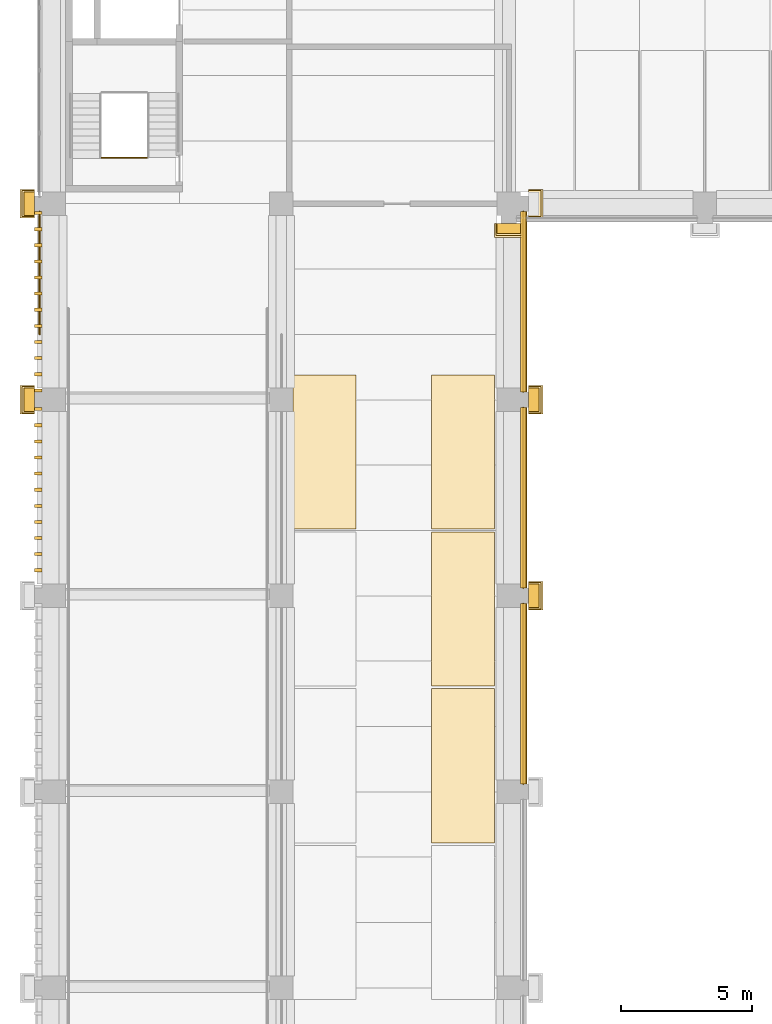
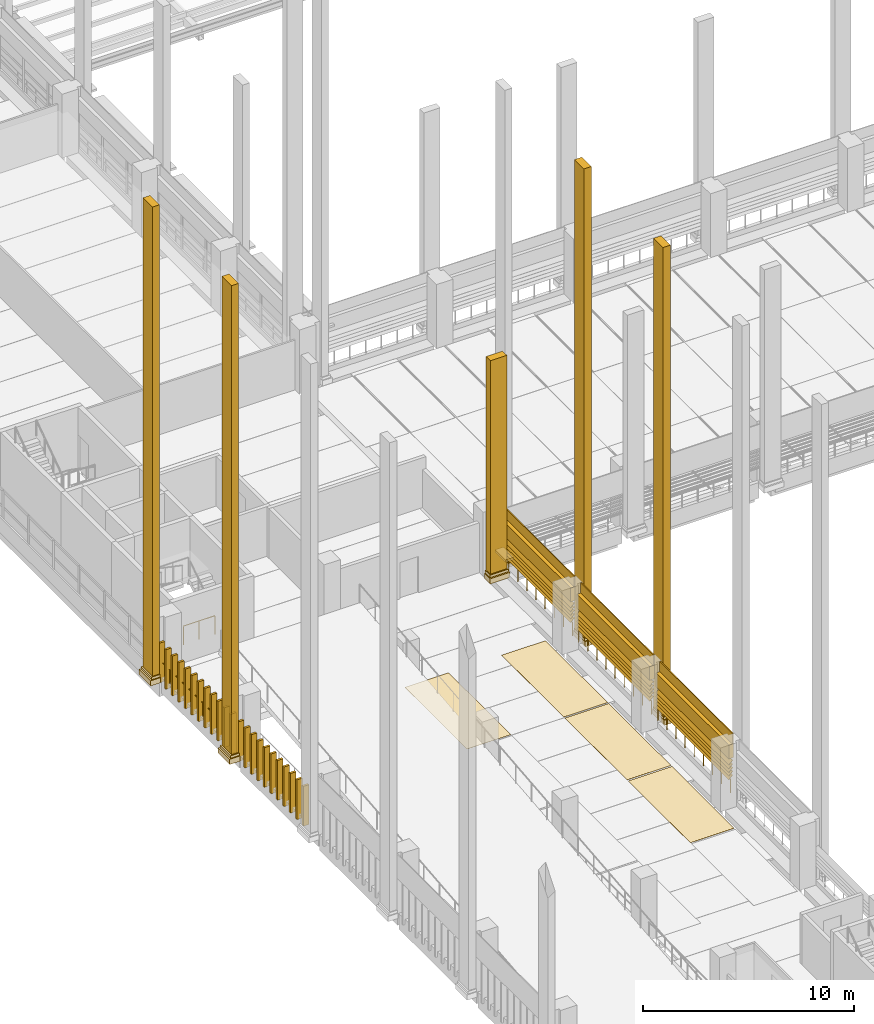
# One storey, part 46 of 67: 47 coverings, 15 shading devices, 5 railings.
"""IFC4 building model written with IfcOpenShell, lengths in metres."""

import ifcopenshell
import ifcopenshell.guid

model = None  # the IFC model being written
_history = None  # IfcOwnerHistory: only IFC2X3 demands one
_inside = {}  # id of a spatial element -> (the spatial element, [elements in it])
_under = {}  # id of a project, library or spatial element -> (it, [spatial elements below it])
_declared = {}  # id of a project -> (the project, [libraries it declares])
_typed = {}  # id of a type object -> (the type object, [elements of that type])
_made_of = {}  # id of a material, layer set ... -> (it, [elements and type objects made of it])


def new_model(schema):
    """Start an empty IFC model of exactly this schema.

    Asked for "IFC4X3", IfcOpenShell would pick the latest addendum, in which some entities
    have other attributes; the version numbers below select the first issue.
    IFC2X3 requires an IfcOwnerHistory on every rooted entity: one is made here for all.
    """
    global model, _history
    if schema == "IFC4X3":
        model = ifcopenshell.file(schema_version=(4, 3, 0, 0))
    else:
        model = ifcopenshell.file(schema=schema)
    _inside.clear()
    _under.clear()
    _declared.clear()
    _typed.clear()
    _made_of.clear()
    _history = None
    if model.schema == "IFC2X3":
        org = make("IfcOrganization", Name="unknown")
        user = make(
            "IfcPersonAndOrganization",
            ThePerson=make("IfcPerson", FamilyName="unknown"),
            TheOrganization=org,
        )
        app = make(
            "IfcApplication",
            ApplicationDeveloper=org,
            Version="unknown",
            ApplicationFullName="unknown",
            ApplicationIdentifier="unknown",
        )
        _history = make(
            "IfcOwnerHistory",
            OwningUser=user,
            OwningApplication=app,
            ChangeAction="ADDED",
            CreationDate=0,
        )
    return model


def make(cls, **values):
    """One entity of the class cls with the attributes given. An attribute that is None is left unset."""
    return model.create_entity(
        cls, **{name: value for name, value in values.items() if value is not None}
    )


def rooted(cls, **values):
    """An entity with a GlobalId (a new one), such as an element, a storey or a relation."""
    return make(cls, GlobalId=ifcopenshell.guid.new(), OwnerHistory=_history, **values)


def si_unit(unit_type, name, prefix=None):
    """IfcSIUnit, for example si_unit("LENGTHUNIT", "METRE", prefix="MILLI")."""
    return make("IfcSIUnit", UnitType=unit_type, Prefix=prefix, Name=name)


def assignment(units):
    """IfcUnitAssignment: the units of a project."""
    return None if units is None else make("IfcUnitAssignment", Units=units)


def point(xyz):
    """IfcCartesianPoint."""
    return None if xyz is None else make("IfcCartesianPoint", Coordinates=xyz)


def direction(xyz):
    """IfcDirection."""
    return None if xyz is None else make("IfcDirection", DirectionRatios=xyz)


def frame(location, z_axis=None, x_axis=None):
    """IfcAxis2Placement3D, a coordinate frame: its origin and axes. An axis left out is left unset."""
    return make(
        "IfcAxis2Placement3D",
        Location=point(location),
        Axis=direction(z_axis),
        RefDirection=direction(x_axis),
    )


def frame_2d(location, x_axis=None):
    """IfcAxis2Placement2D, a coordinate frame in the plane: its origin and x axis."""
    return make(
        "IfcAxis2Placement2D", Location=point(location), RefDirection=direction(x_axis)
    )


def origin():
    """The frame at (0, 0, 0) with its axes left unset."""
    return frame((0.0, 0.0, 0.0))


def origin_2d():
    """The frame at (0, 0) in the plane with its x axis left unset."""
    return frame_2d((0.0, 0.0))


def place(relative_to, where):
    """IfcLocalPlacement: puts the frame where relative to a parent placement (None: the world)."""
    return make(
        "IfcLocalPlacement", PlacementRelTo=relative_to, RelativePlacement=where
    )


def context(
    kind, dimensions, precision=None, world=None, true_north=None, identifier=None
):
    """IfcGeometricRepresentationContext, for example the 3D "Model" context."""
    return make(
        "IfcGeometricRepresentationContext",
        ContextIdentifier=identifier,
        ContextType=kind,
        CoordinateSpaceDimension=dimensions,
        Precision=precision,
        WorldCoordinateSystem=world,
        TrueNorth=true_north,
    )


def subcontext(parent, identifier, kind, view, scale=None):
    """IfcGeometricRepresentationSubContext, for example "Body" below "Model"."""
    return make(
        "IfcGeometricRepresentationSubContext",
        ContextIdentifier=identifier,
        ContextType=kind,
        ParentContext=parent,
        TargetScale=scale,
        TargetView=view,
    )


def project(units=None, contexts=None):
    """IfcProject with its units and contexts."""
    return rooted(
        "IfcProject",
        Name="project",
        RepresentationContexts=contexts,
        UnitsInContext=assignment(units),
    )


def spatial(cls, under=None, at=None, **own):
    """A site, building, storey or space (cls), placed at a placement, below another one or the project."""
    s = rooted(cls, ObjectPlacement=at, **own)
    if under is not None:
        _under.setdefault(under.id(), (under, []))[1].append(s)
    return s


def polyline(points):
    """IfcPolyline through the points."""
    return make("IfcPolyline", Points=[point(p) for p in points])


def profile(cls, at=None, kind="AREA", **sizes):
    """A parametric profile (cls). Its sizes go by their IFC names, for example OverallWidth=200.0."""
    return make(cls, ProfileType=kind, Position=at, **sizes)


def circle(**sizes):
    """IfcCircleProfileDef."""
    return profile("IfcCircleProfileDef", **sizes)


def outline(outer, holes=None, kind="AREA"):
    """IfcArbitraryClosedProfileDef: a profile drawn as a closed curve; with holes, ...WithVoids."""
    if holes is None:
        return make("IfcArbitraryClosedProfileDef", ProfileType=kind, OuterCurve=outer)
    return make(
        "IfcArbitraryProfileDefWithVoids",
        ProfileType=kind,
        OuterCurve=outer,
        InnerCurves=holes,
    )


def extrude(swept, where, along, depth):
    """IfcExtrudedAreaSolid: the profile swept, set in the frame where, extruded along a direction by depth."""
    return make(
        "IfcExtrudedAreaSolid",
        SweptArea=swept,
        Position=where,
        ExtrudedDirection=direction(along),
        Depth=depth,
    )


def shape(context_of_items, identifier, shape_type, items):
    """IfcShapeRepresentation: the items that make up one representation, for example the "Body"."""
    return make(
        "IfcShapeRepresentation",
        ContextOfItems=context_of_items,
        RepresentationIdentifier=identifier,
        RepresentationType=shape_type,
        Items=items,
    )


def material(Name=None, Category=None):
    """IfcMaterial."""
    return make("IfcMaterial", Name=Name, Category=Category)


def layer(
    of_material, thickness, ventilated=None, Name=None, Category=None, Priority=None
):
    """IfcMaterialLayer: one layer of a wall or slab, of a material (None: an air gap)."""
    return make(
        "IfcMaterialLayer",
        Material=of_material,
        LayerThickness=thickness,
        IsVentilated=ventilated,
        Name=Name,
        Category=Category,
        Priority=Priority,
    )


def layer_set(layers, Name=None):
    """IfcMaterialLayerSet."""
    return make("IfcMaterialLayerSet", MaterialLayers=layers, LayerSetName=Name)


def made_of(thing, what):
    """Note that an element or type object is made of a material, layer set ...; save() writes the relation."""
    if what is not None:
        _made_of.setdefault(what.id(), (what, []))[1].append(thing)
    return thing


def type_object(cls, material=None, **own):
    """A type object (cls), such as IfcWallType, which elements share."""
    return made_of(rooted(cls, **own), material)


def element(
    cls,
    number,
    at=None,
    inside=None,
    cuts=None,
    type_object=None,
    material=None,
    context=None,
    identifier="Body",
    shape_type=None,
    held_by="IfcProductDefinitionShape",
    body=None,
    shapes=None,
    **own,
):
    """One element of the class cls, such as IfcWall. Its Tag is "e" and its number.

    at: its placement. inside: the storey or other place that contains it. cuts: it is an
    opening in that element (IfcRelVoidsElement). A single representation is given by context,
    identifier, shape_type and body (its items); several are given by shapes. held_by: the class
    of the entity that holds the representations. save() writes the other relations.
    """
    e = rooted(cls, Tag="e%d" % number, ObjectPlacement=at, **own)
    if body is not None:
        shapes = [shape(context, identifier, shape_type, body)]
    if shapes is not None:
        e.Representation = make(held_by, Representations=shapes)
    if inside is not None:
        _inside.setdefault(inside.id(), (inside, []))[1].append(e)
    if cuts is not None:
        rooted(
            "IfcRelVoidsElement", RelatingBuildingElement=cuts, RelatedOpeningElement=e
        )
    if type_object is not None:
        _typed.setdefault(type_object.id(), (type_object, []))[1].append(e)
    return made_of(e, material)


def aggregate(whole, parts):
    """IfcRelAggregates: a whole, such as a stair, and the parts it consists of."""
    return rooted("IfcRelAggregates", RelatingObject=whole, RelatedObjects=parts)


def save(model, path):
    """Write the relations noted so far, then the file.

    IfcRelAggregates (storeys below a building ...), IfcRelContainedInSpatialStructure (elements
    in a storey), IfcRelDefinesByType, IfcRelAssociatesMaterial and IfcRelDeclares: one each for
    every whole, place, type object, material and project.
    """
    for whole, parts in _under.values():
        aggregate(whole, parts)
    for where, things in _inside.values():
        rooted(
            "IfcRelContainedInSpatialStructure",
            RelatedElements=things,
            RelatingStructure=where,
        )
    for kind, things in _typed.values():
        rooted("IfcRelDefinesByType", RelatedObjects=things, RelatingType=kind)
    for what, things in _made_of.values():
        rooted("IfcRelAssociatesMaterial", RelatedObjects=things, RelatingMaterial=what)
    for by, libraries in _declared.values():
        rooted("IfcRelDeclares", RelatingContext=by, RelatedDefinitions=libraries)
    model.write(path)


model = new_model("IFC4")

# Units and contexts
model_context = context("Model", 3, precision=1e-05, world=origin(), true_north=direction((0.0, 1.0)))
body_context = subcontext(model_context, "Body", "Model", "MODEL_VIEW")
ifc_project = project(units=[si_unit("LENGTHUNIT", "METRE"), si_unit("AREAUNIT", "SQUARE_METRE"), si_unit("VOLUMEUNIT", "CUBIC_METRE"), si_unit("PLANEANGLEUNIT", "RADIAN"), si_unit("MASSUNIT", "GRAM", prefix="KILO")], contexts=[model_context])

# Site, building, storey
site_placement = place(None, origin())
site = spatial("IfcSite", under=ifc_project, at=site_placement, CompositionType="ELEMENT")
building_placement = place(site_placement, origin())
building = spatial("IfcBuilding", under=site, at=building_placement, Name="Cour d'Honneur Mobility Palace", CompositionType="ELEMENT")
storey_placement = place(building_placement, frame((0.0, 0.0, 4.5)))
storey = spatial("IfcBuildingStorey", under=building, at=storey_placement, Name="L01", CompositionType="ELEMENT", Elevation=4.5)

# Railings
ifc_material_1 = material(Name="Painted steel", Category="steel")
railing_type_1 = type_object("IfcRailingType", Name="Balustrade", PredefinedType="BALUSTRADE", material=ifc_material_1)
for number, where, name in (
    (1, (17.949951171875, 22.800048828125, 0.300048828125), "Balustrade BAL-6"),
    (2, (17.949951171875, 30.300048828125, 0.300048828125), "Balustrade BAL-7"),
    (3, (17.949951171875, 37.800048828125, 0.300048828125), "Balustrade BAL-8"),
):
    element("IfcRailing", number, at=place(storey_placement, frame(where)), inside=storey, type_object=railing_type_1, Name=name, PredefinedType="BALUSTRADE", context=body_context, shape_type="SweptSolid", body=[
        extrude(circle(Radius=0.02392578125, at=origin_2d()), frame((0.0, 0.0, 0.77587890625), z_axis=(0.0, 1.0, 0.0), x_axis=(-1.0, 0.0, 0.0)), (0.0, 0.0, 1.0), 6.89990234375),
        extrude(circle(Radius=0.02099609375, at=origin_2d()), origin(), (0.0, 0.0, 1.0), 0.751953125),
        extrude(circle(Radius=0.02099609375, at=origin_2d()), frame((0.0, 0.862548828125, 0.0)), (0.0, 0.0, 1.0), 0.751953125),
        extrude(circle(Radius=0.02099609375, at=origin_2d()), frame((0.0, 1.72509765625, 0.0)), (0.0, 0.0, 1.0), 0.751953125),
        extrude(circle(Radius=0.02099609375, at=origin_2d()), frame((0.0, 2.58740234375, 0.0)), (0.0, 0.0, 1.0), 0.751953125),
        extrude(circle(Radius=0.02099609375, at=origin_2d()), frame((0.0, 3.449951171875, 0.0)), (0.0, 0.0, 1.0), 0.751953125),
        extrude(circle(Radius=0.02099609375, at=origin_2d()), frame((0.0, 4.3125, 0.0)), (0.0, 0.0, 1.0), 0.751953125),
        extrude(circle(Radius=0.02099609375, at=origin_2d()), frame((0.0, 5.1748046875, 0.0)), (0.0, 0.0, 1.0), 0.751953125),
        extrude(circle(Radius=0.02099609375, at=origin_2d()), frame((0.0, 6.037353515625, 0.0)), (0.0, 0.0, 1.0), 0.751953125),
        extrude(circle(Radius=0.02099609375, at=origin_2d()), frame((0.0, 6.89990234375, 0.0)), (0.0, 0.0, 1.0), 0.751953125),
    ])
railing_1_placement = place(storey_placement, frame((-0.550048828125, 44.699951171875, 0.300048828125)))
element("IfcRailing", 4, at=railing_1_placement, inside=storey, type_object=railing_type_1, Name="Balustrade BAL-64", PredefinedType="BALUSTRADE", context=body_context, shape_type="SweptSolid", body=[
    extrude(circle(Radius=0.02392578125, at=origin_2d()), frame((0.0, 0.0, 0.77587890625), z_axis=(0.0, -1.0, 0.0), x_axis=(1.0, 0.0, 0.0)), (0.0, 0.0, 1.0), 4.699951171875),
    extrude(circle(Radius=0.02099609375, at=origin_2d()), origin(), (0.0, 0.0, 1.0), 0.751953125),
    extrude(circle(Radius=0.02099609375, at=origin_2d()), frame((0.0, -0.783203125, 0.0)), (0.0, 0.0, 1.0), 0.751953125),
    extrude(circle(Radius=0.02099609375, at=origin_2d()), frame((0.0, -1.566650390625, 0.0)), (0.0, 0.0, 1.0), 0.751953125),
    extrude(circle(Radius=0.02099609375, at=origin_2d()), frame((0.0, -2.35009765625, 0.0)), (0.0, 0.0, 1.0), 0.751953125),
    extrude(circle(Radius=0.02099609375, at=origin_2d()), frame((0.0, -3.13330078125, 0.0)), (0.0, 0.0, 1.0), 0.751953125),
    extrude(circle(Radius=0.02099609375, at=origin_2d()), frame((0.0, -3.91650390625, 0.0)), (0.0, 0.0, 1.0), 0.751953125),
    extrude(circle(Radius=0.02099609375, at=origin_2d()), frame((0.0, -4.699951171875, 0.0)), (0.0, 0.0, 1.0), 0.751953125),
])
ifc_material_2 = material(Name="Painted steel", Category="steel")
railing_type_2 = type_object("IfcRailingType", Name="Guardrail 1100", PredefinedType="GUARDRAIL", material=ifc_material_2)
railing_2_placement = place(storey_placement, frame((1.824951171875, 46.7548828125, 0.0)))
element("IfcRailing", 5, at=railing_2_placement, inside=storey, type_object=railing_type_2, Name="Guard ST-CW1", PredefinedType="GUARDRAIL", context=body_context, shape_type="SweptSolid", body=[
    extrude(circle(Radius=0.02490234375, at=origin_2d()), frame((0.0, 0.0, 1.0751953125), z_axis=(1.0, 0.0, 0.0), x_axis=(0.0, 1.0, 0.0)), (0.0, 0.0, 1.0), 1.72509765625),
    extrude(circle(Radius=0.02099609375, at=origin_2d()), origin(), (0.0, 0.0, 1.0), 1.050048828125),
    extrude(circle(Radius=0.02099609375, at=origin_2d()), frame((0.862548828125, 0.0, 0.0)), (0.0, 0.0, 1.0), 1.050048828125),
    extrude(circle(Radius=0.02099609375, at=origin_2d()), frame((1.72509765625, 0.0, 0.0)), (0.0, 0.0, 1.0), 1.050048828125),
])

# Coverings
ifc_material_3 = material(Name="Parking marking paint")
ifc_layer_1 = layer(ifc_material_3, 0.0048828125)
ifc_layer_set_1 = layer_set([ifc_layer_1], Name="Parking marking paint")
covering_type_1 = type_object("IfcCoveringType", Name="Parking bay marking", PredefinedType="FLOORING", material=ifc_layer_set_1)
covering_1_placement = place(storey_placement, origin())
element("IfcCovering", 6, at=covering_1_placement, inside=storey, type_object=covering_type_1, Name="Parking bay marking L01 86", PredefinedType="FLOORING", context=body_context, shape_type="SweptSolid", body=[
    extrude(outline(polyline([(11.550048828125, 32.550048828125), (9.14990234375, 32.550048828125), (9.14990234375, 38.449951171875), (11.550048828125, 38.449951171875), (11.550048828125, 32.550048828125)])), origin(), (0.0, 0.0, 1.0), 0.0048828125),
])
covering_2_placement = place(storey_placement, origin())
element("IfcCovering", 7, at=covering_2_placement, inside=storey, type_object=covering_type_1, Name="Parking bay marking L01 88", PredefinedType="FLOORING", context=body_context, shape_type="SweptSolid", body=[
    extrude(outline(polyline([(16.85009765625, 20.550048828125), (14.449951171875, 20.550048828125), (14.449951171875, 26.449951171875), (16.85009765625, 26.449951171875), (16.85009765625, 20.550048828125)])), origin(), (0.0, 0.0, 1.0), 0.0048828125),
])
covering_3_placement = place(storey_placement, origin())
element("IfcCovering", 8, at=covering_3_placement, inside=storey, type_object=covering_type_1, Name="Parking bay marking L01 89", PredefinedType="FLOORING", context=body_context, shape_type="SweptSolid", body=[
    extrude(outline(polyline([(16.85009765625, 26.550048828125), (14.449951171875, 26.550048828125), (14.449951171875, 32.449951171875), (16.85009765625, 32.449951171875), (16.85009765625, 26.550048828125)])), origin(), (0.0, 0.0, 1.0), 0.0048828125),
])
covering_4_placement = place(storey_placement, origin())
element("IfcCovering", 9, at=covering_4_placement, inside=storey, type_object=covering_type_1, Name="Parking bay marking L01 90", PredefinedType="FLOORING", context=body_context, shape_type="SweptSolid", body=[
    extrude(outline(polyline([(16.85009765625, 32.550048828125), (14.449951171875, 32.550048828125), (14.449951171875, 38.449951171875), (16.85009765625, 38.449951171875), (16.85009765625, 32.550048828125)])), origin(), (0.0, 0.0, 1.0), 0.0048828125),
])
ifc_material_4 = material(Name="Cast limestone", Category="masonry")
ifc_layer_2 = layer(ifc_material_4, 0.14990234375)
ifc_layer_set_2 = layer_set([ifc_layer_2], Name="Cast limestone")
covering_type_2 = type_object("IfcCoveringType", Name="Pilaster base", PredefinedType="CLADDING", material=ifc_layer_set_2)
covering_5_placement = place(storey_placement, frame((0.0, 0.0, 0.10009765625)))
element("IfcCovering", 10, at=covering_5_placement, inside=storey, type_object=covering_type_2, Name="Pilaster base PB-13", PredefinedType="CLADDING", context=body_context, shape_type="SweptSolid", body=[
    extrude(outline(polyline([(18.14990234375, 29.449951171875), (18.14990234375, 30.550048828125), (18.699951171875, 30.550048828125), (18.699951171875, 29.449951171875), (18.14990234375, 29.449951171875)])), origin(), (0.0, 0.0, 1.0), 0.2998046875),
])
covering_6_placement = place(storey_placement, frame((0.0, 0.0, 0.39990234375)))
element("IfcCovering", 11, at=covering_6_placement, inside=storey, type_object=covering_type_2, Name="Pilaster base PB-14", PredefinedType="CLADDING", context=body_context, shape_type="SweptSolid", body=[
    extrude(outline(polyline([(18.14990234375, 29.5), (18.14990234375, 30.5), (18.6201171875, 30.5), (18.6201171875, 29.5), (18.14990234375, 29.5)])), origin(), (0.0, 0.0, 1.0), 0.150146484375),
])
covering_7_placement = place(storey_placement, frame((0.0, 0.0, 0.10009765625)))
element("IfcCovering", 12, at=covering_7_placement, inside=storey, type_object=covering_type_2, Name="Pilaster base PB-15", PredefinedType="CLADDING", context=body_context, shape_type="SweptSolid", body=[
    extrude(outline(polyline([(18.14990234375, 36.949951171875), (18.14990234375, 38.050048828125), (18.699951171875, 38.050048828125), (18.699951171875, 36.949951171875), (18.14990234375, 36.949951171875)])), origin(), (0.0, 0.0, 1.0), 0.2998046875),
])
covering_8_placement = place(storey_placement, frame((0.0, 0.0, 0.39990234375)))
element("IfcCovering", 13, at=covering_8_placement, inside=storey, type_object=covering_type_2, Name="Pilaster base PB-16", PredefinedType="CLADDING", context=body_context, shape_type="SweptSolid", body=[
    extrude(outline(polyline([(18.14990234375, 37.0), (18.14990234375, 38.0), (18.6201171875, 38.0), (18.6201171875, 37.0), (18.14990234375, 37.0)])), origin(), (0.0, 0.0, 1.0), 0.150146484375),
])
covering_9_placement = place(storey_placement, frame((0.0, 0.0, 0.10009765625)))
element("IfcCovering", 14, at=covering_9_placement, inside=storey, type_object=covering_type_2, Name="Pilaster base PB-17", PredefinedType="CLADDING", context=body_context, shape_type="SweptSolid", body=[
    extrude(outline(polyline([(18.14990234375, 44.449951171875), (18.14990234375, 45.550048828125), (18.699951171875, 45.550048828125), (18.699951171875, 44.449951171875), (18.14990234375, 44.449951171875)])), origin(), (0.0, 0.0, 1.0), 0.2998046875),
])
covering_10_placement = place(storey_placement, frame((0.0, 0.0, 0.39990234375)))
element("IfcCovering", 15, at=covering_10_placement, inside=storey, type_object=covering_type_2, Name="Pilaster base PB-18", PredefinedType="CLADDING", context=body_context, shape_type="SweptSolid", body=[
    extrude(outline(polyline([(18.14990234375, 44.5), (18.14990234375, 45.5), (18.6201171875, 45.5), (18.6201171875, 44.5), (18.14990234375, 44.5)])), origin(), (0.0, 0.0, 1.0), 0.150146484375),
])
covering_11_placement = place(storey_placement, frame((0.0, 0.0, 0.10009765625)))
element("IfcCovering", 16, at=covering_11_placement, inside=storey, type_object=covering_type_2, Name="Pilaster base PB-19", PredefinedType="CLADDING", context=body_context, shape_type="SweptSolid", body=[
    extrude(outline(polyline([(16.85009765625, 44.25), (17.949951171875, 44.25), (17.949951171875, 43.699951171875), (16.85009765625, 43.699951171875), (16.85009765625, 44.25)])), origin(), (0.0, 0.0, 1.0), 0.2998046875),
])
covering_12_placement = place(storey_placement, frame((0.0, 0.0, 0.39990234375)))
element("IfcCovering", 17, at=covering_12_placement, inside=storey, type_object=covering_type_2, Name="Pilaster base PB-20", PredefinedType="CLADDING", context=body_context, shape_type="SweptSolid", body=[
    extrude(outline(polyline([(16.89990234375, 44.25), (17.89990234375, 44.25), (17.89990234375, 43.780029296875), (16.89990234375, 43.780029296875), (16.89990234375, 44.25)])), origin(), (0.0, 0.0, 1.0), 0.150146484375),
])
covering_13_placement = place(storey_placement, frame((0.0, 0.0, 0.10009765625)))
element("IfcCovering", 18, at=covering_13_placement, inside=storey, type_object=covering_type_2, Name="Pilaster base PB-195", PredefinedType="CLADDING", context=body_context, shape_type="SweptSolid", body=[
    extrude(outline(polyline([(-0.75, 45.550048828125), (-0.75, 44.449951171875), (-1.300048828125, 44.449951171875), (-1.300048828125, 45.550048828125), (-0.75, 45.550048828125)])), origin(), (0.0, 0.0, 1.0), 0.2998046875),
])
covering_14_placement = place(storey_placement, frame((0.0, 0.0, 0.39990234375)))
element("IfcCovering", 19, at=covering_14_placement, inside=storey, type_object=covering_type_2, Name="Pilaster base PB-196", PredefinedType="CLADDING", context=body_context, shape_type="SweptSolid", body=[
    extrude(outline(polyline([(-0.75, 45.5), (-0.75, 44.5), (-1.219970703125, 44.5), (-1.219970703125, 45.5), (-0.75, 45.5)])), origin(), (0.0, 0.0, 1.0), 0.150146484375),
])
covering_15_placement = place(storey_placement, frame((0.0, 0.0, 0.10009765625)))
element("IfcCovering", 20, at=covering_15_placement, inside=storey, type_object=covering_type_2, Name="Pilaster base PB-197", PredefinedType="CLADDING", context=body_context, shape_type="SweptSolid", body=[
    extrude(outline(polyline([(-0.75, 38.050048828125), (-0.75, 36.949951171875), (-1.300048828125, 36.949951171875), (-1.300048828125, 38.050048828125), (-0.75, 38.050048828125)])), origin(), (0.0, 0.0, 1.0), 0.2998046875),
])
covering_16_placement = place(storey_placement, frame((0.0, 0.0, 0.39990234375)))
element("IfcCovering", 21, at=covering_16_placement, inside=storey, type_object=covering_type_2, Name="Pilaster base PB-198", PredefinedType="CLADDING", context=body_context, shape_type="SweptSolid", body=[
    extrude(outline(polyline([(-0.75, 38.0), (-0.75, 37.0), (-1.219970703125, 37.0), (-1.219970703125, 38.0), (-0.75, 38.0)])), origin(), (0.0, 0.0, 1.0), 0.150146484375),
])
ifc_material_5 = material(Name="Cast limestone", Category="masonry")
ifc_layer_3 = layer(ifc_material_5, 0.39990234375)
ifc_layer_set_3 = layer_set([ifc_layer_3], Name="Cast limestone")
covering_type_3 = type_object("IfcCoveringType", Name="Pilaster shaft", PredefinedType="CLADDING", material=ifc_layer_set_3)
covering_17_placement = place(storey_placement, frame((0.0, 0.0, 0.550048828125)))
element("IfcCovering", 22, at=covering_17_placement, inside=storey, type_object=covering_type_3, Name="Pilaster shaft PS-7", PredefinedType="CLADDING", context=body_context, shape_type="SweptSolid", body=[
    extrude(outline(polyline([(18.14990234375, 29.550048828125), (18.14990234375, 30.449951171875), (18.550048828125, 30.449951171875), (18.550048828125, 29.550048828125), (18.14990234375, 29.550048828125)])), origin(), (0.0, 0.0, 1.0), 27.14990234375),
])
covering_18_placement = place(storey_placement, frame((0.0, 0.0, 0.550048828125)))
element("IfcCovering", 23, at=covering_18_placement, inside=storey, type_object=covering_type_3, Name="Pilaster shaft PS-8", PredefinedType="CLADDING", context=body_context, shape_type="SweptSolid", body=[
    extrude(outline(polyline([(18.14990234375, 37.050048828125), (18.14990234375, 37.949951171875), (18.550048828125, 37.949951171875), (18.550048828125, 37.050048828125), (18.14990234375, 37.050048828125)])), origin(), (0.0, 0.0, 1.0), 27.14990234375),
])
covering_19_placement = place(storey_placement, frame((0.0, 0.0, 0.550048828125)))
element("IfcCovering", 24, at=covering_19_placement, inside=storey, type_object=covering_type_3, Name="Pilaster shaft PS-10", PredefinedType="CLADDING", context=body_context, shape_type="SweptSolid", body=[
    extrude(outline(polyline([(16.949951171875, 44.25), (17.85009765625, 44.25), (17.85009765625, 43.85009765625), (16.949951171875, 43.85009765625), (16.949951171875, 44.25)])), origin(), (0.0, 0.0, 1.0), 12.349853515625),
])
covering_20_placement = place(storey_placement, frame((0.0, 0.0, 0.550048828125)))
element("IfcCovering", 25, at=covering_20_placement, inside=storey, type_object=covering_type_3, Name="Pilaster shaft PS-98", PredefinedType="CLADDING", context=body_context, shape_type="SweptSolid", body=[
    extrude(outline(polyline([(-0.75, 45.449951171875), (-0.75, 44.550048828125), (-1.14990234375, 44.550048828125), (-1.14990234375, 45.449951171875), (-0.75, 45.449951171875)])), origin(), (0.0, 0.0, 1.0), 27.14990234375),
])
covering_21_placement = place(storey_placement, frame((0.0, 0.0, 0.550048828125)))
element("IfcCovering", 26, at=covering_21_placement, inside=storey, type_object=covering_type_3, Name="Pilaster shaft PS-99", PredefinedType="CLADDING", context=body_context, shape_type="SweptSolid", body=[
    extrude(outline(polyline([(-0.75, 37.949951171875), (-0.75, 37.050048828125), (-1.14990234375, 37.050048828125), (-1.14990234375, 37.949951171875), (-0.75, 37.949951171875)])), origin(), (0.0, 0.0, 1.0), 27.14990234375),
])
ifc_material_6 = material(Name="Cast limestone", Category="masonry")
ifc_layer_4 = layer(ifc_material_6, 0.1201171875)
ifc_layer_set_4 = layer_set([ifc_layer_4], Name="Cast limestone")
covering_type_4 = type_object("IfcCoveringType", Name="Ramp screen fin", PredefinedType="CLADDING", material=ifc_layer_set_4)
covering_22_placement = place(storey_placement, origin())
element("IfcCovering", 27, at=covering_22_placement, inside=storey, type_object=covering_type_4, Name="Ramp screen fin W11.8 L01 1", PredefinedType="CLADDING", context=body_context, shape_type="SweptSolid", body=[
    extrude(outline(polyline([(-0.449951171875, 44.699951171875), (-0.449951171875, 44.580078125), (-0.75, 44.580078125), (-0.75, 44.699951171875), (-0.449951171875, 44.699951171875)])), origin(), (0.0, 0.0, 1.0), 2.300048828125),
])
covering_23_placement = place(storey_placement, origin())
element("IfcCovering", 28, at=covering_23_placement, inside=storey, type_object=covering_type_4, Name="Ramp screen fin W11.8 L01 2", PredefinedType="CLADDING", context=body_context, shape_type="SweptSolid", body=[
    extrude(outline(polyline([(-0.449951171875, 44.083740234375), (-0.449951171875, 43.963623046875), (-0.75, 43.963623046875), (-0.75, 44.083740234375), (-0.449951171875, 44.083740234375)])), origin(), (0.0, 0.0, 1.0), 2.300048828125),
])
covering_24_placement = place(storey_placement, origin())
element("IfcCovering", 29, at=covering_24_placement, inside=storey, type_object=covering_type_4, Name="Ramp screen fin W11.8 L01 3", PredefinedType="CLADDING", context=body_context, shape_type="SweptSolid", body=[
    extrude(outline(polyline([(-0.449951171875, 43.46728515625), (-0.449951171875, 43.34716796875), (-0.75, 43.34716796875), (-0.75, 43.46728515625), (-0.449951171875, 43.46728515625)])), origin(), (0.0, 0.0, 1.0), 2.300048828125),
])
covering_25_placement = place(storey_placement, origin())
element("IfcCovering", 30, at=covering_25_placement, inside=storey, type_object=covering_type_4, Name="Ramp screen fin W11.8 L01 4", PredefinedType="CLADDING", context=body_context, shape_type="SweptSolid", body=[
    extrude(outline(polyline([(-0.449951171875, 42.850830078125), (-0.449951171875, 42.73095703125), (-0.75, 42.73095703125), (-0.75, 42.850830078125), (-0.449951171875, 42.850830078125)])), origin(), (0.0, 0.0, 1.0), 2.300048828125),
])
covering_26_placement = place(storey_placement, origin())
element("IfcCovering", 31, at=covering_26_placement, inside=storey, type_object=covering_type_4, Name="Ramp screen fin W11.8 L01 5", PredefinedType="CLADDING", context=body_context, shape_type="SweptSolid", body=[
    extrude(outline(polyline([(-0.449951171875, 42.234619140625), (-0.449951171875, 42.114501953125), (-0.75, 42.114501953125), (-0.75, 42.234619140625), (-0.449951171875, 42.234619140625)])), origin(), (0.0, 0.0, 1.0), 2.300048828125),
])
covering_27_placement = place(storey_placement, origin())
element("IfcCovering", 32, at=covering_27_placement, inside=storey, type_object=covering_type_4, Name="Ramp screen fin W11.8 L01 6", PredefinedType="CLADDING", context=body_context, shape_type="SweptSolid", body=[
    extrude(outline(polyline([(-0.449951171875, 41.6181640625), (-0.449951171875, 41.498291015625), (-0.75, 41.498291015625), (-0.75, 41.6181640625), (-0.449951171875, 41.6181640625)])), origin(), (0.0, 0.0, 1.0), 2.300048828125),
])
covering_28_placement = place(storey_placement, origin())
element("IfcCovering", 33, at=covering_28_placement, inside=storey, type_object=covering_type_4, Name="Ramp screen fin W11.8 L01 7", PredefinedType="CLADDING", context=body_context, shape_type="SweptSolid", body=[
    extrude(outline(polyline([(-0.449951171875, 41.001708984375), (-0.449951171875, 40.8818359375), (-0.75, 40.8818359375), (-0.75, 41.001708984375), (-0.449951171875, 41.001708984375)])), origin(), (0.0, 0.0, 1.0), 2.300048828125),
])
covering_29_placement = place(storey_placement, origin())
element("IfcCovering", 34, at=covering_29_placement, inside=storey, type_object=covering_type_4, Name="Ramp screen fin W11.8 L01 8", PredefinedType="CLADDING", context=body_context, shape_type="SweptSolid", body=[
    extrude(outline(polyline([(-0.449951171875, 40.385498046875), (-0.449951171875, 40.265380859375), (-0.75, 40.265380859375), (-0.75, 40.385498046875), (-0.449951171875, 40.385498046875)])), origin(), (0.0, 0.0, 1.0), 2.300048828125),
])
covering_30_placement = place(storey_placement, origin())
element("IfcCovering", 35, at=covering_30_placement, inside=storey, type_object=covering_type_4, Name="Ramp screen fin W11.8 L01 9", PredefinedType="CLADDING", context=body_context, shape_type="SweptSolid", body=[
    extrude(outline(polyline([(-0.449951171875, 39.76904296875), (-0.449951171875, 39.649169921875), (-0.75, 39.649169921875), (-0.75, 39.76904296875), (-0.449951171875, 39.76904296875)])), origin(), (0.0, 0.0, 1.0), 2.300048828125),
])
covering_31_placement = place(storey_placement, origin())
element("IfcCovering", 36, at=covering_31_placement, inside=storey, type_object=covering_type_4, Name="Ramp screen fin W11.8 L01 10", PredefinedType="CLADDING", context=body_context, shape_type="SweptSolid", body=[
    extrude(outline(polyline([(-0.449951171875, 39.15283203125), (-0.449951171875, 39.03271484375), (-0.75, 39.03271484375), (-0.75, 39.15283203125), (-0.449951171875, 39.15283203125)])), origin(), (0.0, 0.0, 1.0), 2.300048828125),
])
covering_32_placement = place(storey_placement, origin())
element("IfcCovering", 37, at=covering_32_placement, inside=storey, type_object=covering_type_4, Name="Ramp screen fin W11.8 L01 11", PredefinedType="CLADDING", context=body_context, shape_type="SweptSolid", body=[
    extrude(outline(polyline([(-0.449951171875, 38.536376953125), (-0.449951171875, 38.416259765625), (-0.75, 38.416259765625), (-0.75, 38.536376953125), (-0.449951171875, 38.536376953125)])), origin(), (0.0, 0.0, 1.0), 2.300048828125),
])
covering_33_placement = place(storey_placement, origin())
element("IfcCovering", 38, at=covering_33_placement, inside=storey, type_object=covering_type_4, Name="Ramp screen fin W11.8 L01 12", PredefinedType="CLADDING", context=body_context, shape_type="SweptSolid", body=[
    extrude(outline(polyline([(-0.449951171875, 37.919921875), (-0.449951171875, 37.800048828125), (-0.75, 37.800048828125), (-0.75, 37.919921875), (-0.449951171875, 37.919921875)])), origin(), (0.0, 0.0, 1.0), 2.300048828125),
])
covering_34_placement = place(storey_placement, origin())
element("IfcCovering", 39, at=covering_34_placement, inside=storey, type_object=covering_type_4, Name="Ramp screen fin W11.9 L01 1", PredefinedType="CLADDING", context=body_context, shape_type="SweptSolid", body=[
    extrude(outline(polyline([(-0.449951171875, 37.199951171875), (-0.449951171875, 37.080078125), (-0.75, 37.080078125), (-0.75, 37.199951171875), (-0.449951171875, 37.199951171875)])), origin(), (0.0, 0.0, 1.0), 2.300048828125),
])
covering_35_placement = place(storey_placement, origin())
element("IfcCovering", 40, at=covering_35_placement, inside=storey, type_object=covering_type_4, Name="Ramp screen fin W11.9 L01 2", PredefinedType="CLADDING", context=body_context, shape_type="SweptSolid", body=[
    extrude(outline(polyline([(-0.449951171875, 36.583740234375), (-0.449951171875, 36.463623046875), (-0.75, 36.463623046875), (-0.75, 36.583740234375), (-0.449951171875, 36.583740234375)])), origin(), (0.0, 0.0, 1.0), 2.300048828125),
])
covering_36_placement = place(storey_placement, origin())
element("IfcCovering", 41, at=covering_36_placement, inside=storey, type_object=covering_type_4, Name="Ramp screen fin W11.9 L01 3", PredefinedType="CLADDING", context=body_context, shape_type="SweptSolid", body=[
    extrude(outline(polyline([(-0.449951171875, 35.96728515625), (-0.449951171875, 35.84716796875), (-0.75, 35.84716796875), (-0.75, 35.96728515625), (-0.449951171875, 35.96728515625)])), origin(), (0.0, 0.0, 1.0), 2.300048828125),
])
covering_37_placement = place(storey_placement, origin())
element("IfcCovering", 42, at=covering_37_placement, inside=storey, type_object=covering_type_4, Name="Ramp screen fin W11.9 L01 4", PredefinedType="CLADDING", context=body_context, shape_type="SweptSolid", body=[
    extrude(outline(polyline([(-0.449951171875, 35.350830078125), (-0.449951171875, 35.23095703125), (-0.75, 35.23095703125), (-0.75, 35.350830078125), (-0.449951171875, 35.350830078125)])), origin(), (0.0, 0.0, 1.0), 2.300048828125),
])
covering_38_placement = place(storey_placement, origin())
element("IfcCovering", 43, at=covering_38_placement, inside=storey, type_object=covering_type_4, Name="Ramp screen fin W11.9 L01 5", PredefinedType="CLADDING", context=body_context, shape_type="SweptSolid", body=[
    extrude(outline(polyline([(-0.449951171875, 34.734619140625), (-0.449951171875, 34.614501953125), (-0.75, 34.614501953125), (-0.75, 34.734619140625), (-0.449951171875, 34.734619140625)])), origin(), (0.0, 0.0, 1.0), 2.300048828125),
])
covering_39_placement = place(storey_placement, origin())
element("IfcCovering", 44, at=covering_39_placement, inside=storey, type_object=covering_type_4, Name="Ramp screen fin W11.9 L01 6", PredefinedType="CLADDING", context=body_context, shape_type="SweptSolid", body=[
    extrude(outline(polyline([(-0.449951171875, 34.1181640625), (-0.449951171875, 33.998291015625), (-0.75, 33.998291015625), (-0.75, 34.1181640625), (-0.449951171875, 34.1181640625)])), origin(), (0.0, 0.0, 1.0), 2.300048828125),
])
covering_40_placement = place(storey_placement, origin())
element("IfcCovering", 45, at=covering_40_placement, inside=storey, type_object=covering_type_4, Name="Ramp screen fin W11.9 L01 7", PredefinedType="CLADDING", context=body_context, shape_type="SweptSolid", body=[
    extrude(outline(polyline([(-0.449951171875, 33.501708984375), (-0.449951171875, 33.3818359375), (-0.75, 33.3818359375), (-0.75, 33.501708984375), (-0.449951171875, 33.501708984375)])), origin(), (0.0, 0.0, 1.0), 2.300048828125),
])
covering_41_placement = place(storey_placement, origin())
element("IfcCovering", 46, at=covering_41_placement, inside=storey, type_object=covering_type_4, Name="Ramp screen fin W11.9 L01 8", PredefinedType="CLADDING", context=body_context, shape_type="SweptSolid", body=[
    extrude(outline(polyline([(-0.449951171875, 32.885498046875), (-0.449951171875, 32.765380859375), (-0.75, 32.765380859375), (-0.75, 32.885498046875), (-0.449951171875, 32.885498046875)])), origin(), (0.0, 0.0, 1.0), 2.300048828125),
])
covering_42_placement = place(storey_placement, origin())
element("IfcCovering", 47, at=covering_42_placement, inside=storey, type_object=covering_type_4, Name="Ramp screen fin W11.9 L01 9", PredefinedType="CLADDING", context=body_context, shape_type="SweptSolid", body=[
    extrude(outline(polyline([(-0.449951171875, 32.26904296875), (-0.449951171875, 32.149169921875), (-0.75, 32.149169921875), (-0.75, 32.26904296875), (-0.449951171875, 32.26904296875)])), origin(), (0.0, 0.0, 1.0), 2.300048828125),
])
covering_43_placement = place(storey_placement, origin())
element("IfcCovering", 48, at=covering_43_placement, inside=storey, type_object=covering_type_4, Name="Ramp screen fin W11.9 L01 10", PredefinedType="CLADDING", context=body_context, shape_type="SweptSolid", body=[
    extrude(outline(polyline([(-0.449951171875, 31.65283203125), (-0.449951171875, 31.53271484375), (-0.75, 31.53271484375), (-0.75, 31.65283203125), (-0.449951171875, 31.65283203125)])), origin(), (0.0, 0.0, 1.0), 2.300048828125),
])
covering_44_placement = place(storey_placement, origin())
element("IfcCovering", 49, at=covering_44_placement, inside=storey, type_object=covering_type_4, Name="Ramp screen fin W11.9 L01 11", PredefinedType="CLADDING", context=body_context, shape_type="SweptSolid", body=[
    extrude(outline(polyline([(-0.449951171875, 31.036376953125), (-0.449951171875, 30.916259765625), (-0.75, 30.916259765625), (-0.75, 31.036376953125), (-0.449951171875, 31.036376953125)])), origin(), (0.0, 0.0, 1.0), 2.300048828125),
])
ifc_material_7 = material(Name="Cast limestone", Category="masonry")
ifc_layer_5 = layer(ifc_material_7, 0.25)
ifc_layer_set_5 = layer_set([ifc_layer_5], Name="Cast limestone")
covering_type_5 = type_object("IfcCoveringType", Name="Spandrel cladding", PredefinedType="CLADDING", material=ifc_layer_set_5)
for number, where, z_axis, x_axis, name in (
    (50, (17.85009765625, 22.800048828125, 2.300048828125), (0.0, -1.0, 0.0), (1.0, 0.0, 0.0), "Spandrel cladding SK-71"),
    (51, (17.85009765625, 30.300048828125, 2.300048828125), (0.0, -1.0, 0.0), (1.0, 0.0, 0.0), "Spandrel cladding SK-72"),
    (52, (17.85009765625, 37.800048828125, 2.300048828125), (0.0, -1.0, 0.0), (1.0, 0.0, 0.0), "Spandrel cladding SK-73"),
):
    element("IfcCovering", number, at=place(storey_placement, frame(where, z_axis=z_axis, x_axis=x_axis)), inside=storey, type_object=covering_type_5, Name=name, PredefinedType="CLADDING", context=body_context, shape_type="SweptSolid", body=[
        extrude(outline(polyline([(0.0, 0.0), (0.25, 0.0), (0.25, 1.39990234375), (0.199951171875, 1.39990234375), (0.199951171875, 0.800048828125), (0.0, 0.800048828125), (0.0, 0.0)])), origin(), (0.0, 0.0, -1.0), 6.89990234375),
    ])

# Shading devices
ifc_material_8 = material(Name="Terracotta", Category="masonry")
ifc_layer_6 = layer(ifc_material_8, 0.02490234375)
ifc_layer_set_6 = layer_set([ifc_layer_6], Name="Terracotta")
shading_device_type = type_object("IfcShadingDeviceType", Name="Terracotta louvre blade", PredefinedType="JALOUSIE", material=ifc_layer_set_6)
shading_device_1_placement = place(storey_placement, frame((17.843994140625, 22.800048828125, 1.10009765625), z_axis=(-0.706699578995, 0.0, 0.707513749017), x_axis=(0.0, 1.0, 0.0)))
element("IfcShadingDevice", 53, at=shading_device_1_placement, inside=storey, type_object=shading_device_type, Name="Louvre blade LV-1 E1.3 L01 1", PredefinedType="JALOUSIE", context=body_context, shape_type="SweptSolid", body=[
    extrude(outline(polyline([(0.0, 0.0), (6.89990234375, 0.0), (6.89990234375, -0.29986442442957895), (0.0, -0.29986442442957895), (0.0, 0.0)])), origin(), (0.0, 0.0, -1.0), 0.02490234375),
])
for number, where, z_axis, x_axis, name in (
    (54, (17.843994140625, 22.800048828125, 1.31201171875), (-0.707106781187, 0.0, 0.707106781187), (0.0, 1.0, 0.0), "Louvre blade LV-1 E1.3 L01 2"),
    (55, (17.843994140625, 22.800048828125, 1.524169921875), (-0.707106781187, 0.0, 0.707106781187), (0.0, 1.0, 0.0), "Louvre blade LV-1 E1.3 L01 3"),
    (56, (17.843994140625, 22.800048828125, 1.736328125), (-0.707106781187, 0.0, 0.707106781187), (0.0, 1.0, 0.0), "Louvre blade LV-1 E1.3 L01 4"),
    (57, (17.843994140625, 22.800048828125, 1.948486328125), (-0.707106781187, 0.0, 0.707106781187), (0.0, 1.0, 0.0), "Louvre blade LV-1 E1.3 L01 5"),
):
    element("IfcShadingDevice", number, at=place(storey_placement, frame(where, z_axis=z_axis, x_axis=x_axis)), inside=storey, type_object=shading_device_type, Name=name, PredefinedType="JALOUSIE", context=body_context, shape_type="SweptSolid", body=[
        extrude(outline(polyline([(0.0, 0.0), (6.89990234375, 0.0), (6.89990234375, -0.300037008228081), (0.0, -0.300037008228081), (0.0, 0.0)])), origin(), (0.0, 0.0, -1.0), 0.02490234375),
    ])
shading_device_2_placement = place(storey_placement, frame((17.843994140625, 30.300048828125, 1.10009765625), z_axis=(-0.706699578995, 0.0, 0.707513749017), x_axis=(0.0, 1.0, 0.0)))
element("IfcShadingDevice", 58, at=shading_device_2_placement, inside=storey, type_object=shading_device_type, Name="Louvre blade LV-1 E1.4 L01 1", PredefinedType="JALOUSIE", context=body_context, shape_type="SweptSolid", body=[
    extrude(outline(polyline([(0.0, 0.0), (6.89990234375, 0.0), (6.89990234375, -0.29986442442957895), (0.0, -0.29986442442957895), (0.0, 0.0)])), origin(), (0.0, 0.0, -1.0), 0.02490234375),
])
for number, where, z_axis, x_axis, name in (
    (59, (17.843994140625, 30.300048828125, 1.31201171875), (-0.707106781187, 0.0, 0.707106781187), (0.0, 1.0, 0.0), "Louvre blade LV-1 E1.4 L01 2"),
    (60, (17.843994140625, 30.300048828125, 1.524169921875), (-0.707106781187, 0.0, 0.707106781187), (0.0, 1.0, 0.0), "Louvre blade LV-1 E1.4 L01 3"),
    (61, (17.843994140625, 30.300048828125, 1.736328125), (-0.707106781187, 0.0, 0.707106781187), (0.0, 1.0, 0.0), "Louvre blade LV-1 E1.4 L01 4"),
    (62, (17.843994140625, 30.300048828125, 1.948486328125), (-0.707106781187, 0.0, 0.707106781187), (0.0, 1.0, 0.0), "Louvre blade LV-1 E1.4 L01 5"),
):
    element("IfcShadingDevice", number, at=place(storey_placement, frame(where, z_axis=z_axis, x_axis=x_axis)), inside=storey, type_object=shading_device_type, Name=name, PredefinedType="JALOUSIE", context=body_context, shape_type="SweptSolid", body=[
        extrude(outline(polyline([(0.0, 0.0), (6.89990234375, 0.0), (6.89990234375, -0.300037008228081), (0.0, -0.300037008228081), (0.0, 0.0)])), origin(), (0.0, 0.0, -1.0), 0.02490234375),
    ])
shading_device_3_placement = place(storey_placement, frame((17.843994140625, 37.800048828125, 1.10009765625), z_axis=(-0.706699578995, 0.0, 0.707513749017), x_axis=(0.0, 1.0, 0.0)))
element("IfcShadingDevice", 63, at=shading_device_3_placement, inside=storey, type_object=shading_device_type, Name="Louvre blade LV-1 E1.5 L01 1", PredefinedType="JALOUSIE", context=body_context, shape_type="SweptSolid", body=[
    extrude(outline(polyline([(0.0, 0.0), (6.89990234375, 0.0), (6.89990234375, -0.29986442442957895), (0.0, -0.29986442442957895), (0.0, 0.0)])), origin(), (0.0, 0.0, -1.0), 0.02490234375),
])
for number, where, z_axis, x_axis, name in (
    (64, (17.843994140625, 37.800048828125, 1.31201171875), (-0.707106781187, 0.0, 0.707106781187), (0.0, 1.0, 0.0), "Louvre blade LV-1 E1.5 L01 2"),
    (65, (17.843994140625, 37.800048828125, 1.524169921875), (-0.707106781187, 0.0, 0.707106781187), (0.0, 1.0, 0.0), "Louvre blade LV-1 E1.5 L01 3"),
    (66, (17.843994140625, 37.800048828125, 1.736328125), (-0.707106781187, 0.0, 0.707106781187), (0.0, 1.0, 0.0), "Louvre blade LV-1 E1.5 L01 4"),
    (67, (17.843994140625, 37.800048828125, 1.948486328125), (-0.707106781187, 0.0, 0.707106781187), (0.0, 1.0, 0.0), "Louvre blade LV-1 E1.5 L01 5"),
):
    element("IfcShadingDevice", number, at=place(storey_placement, frame(where, z_axis=z_axis, x_axis=x_axis)), inside=storey, type_object=shading_device_type, Name=name, PredefinedType="JALOUSIE", context=body_context, shape_type="SweptSolid", body=[
        extrude(outline(polyline([(0.0, 0.0), (6.89990234375, 0.0), (6.89990234375, -0.300037008228081), (0.0, -0.300037008228081), (0.0, 0.0)])), origin(), (0.0, 0.0, -1.0), 0.02490234375),
    ])

save(model, "model.ifc")
